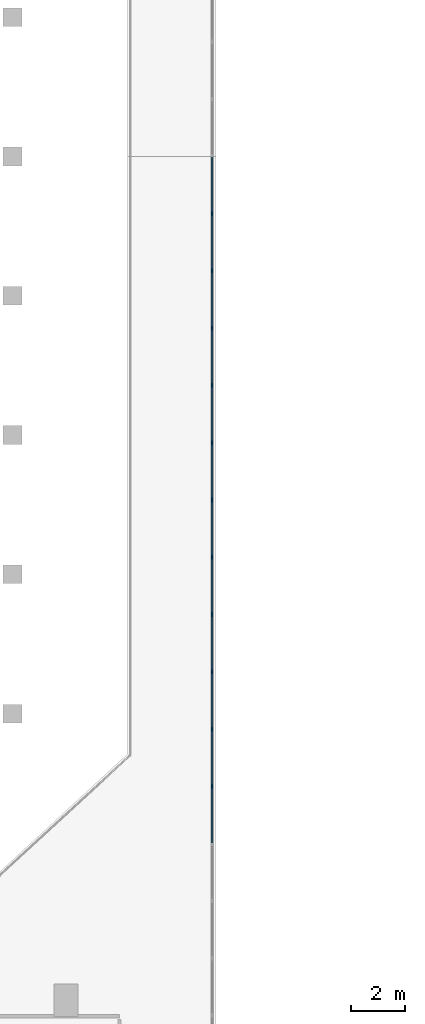
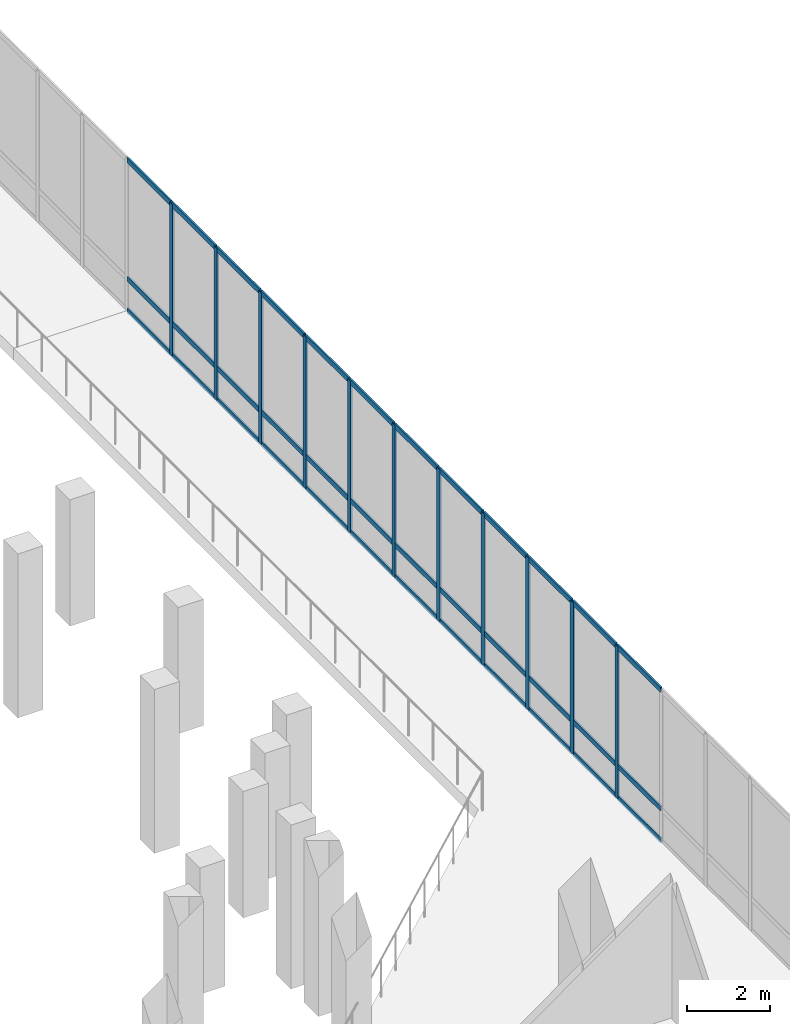
# One storey, part 28 of 126: 47 members, 1 element without a shape of its own.
"""IFC4 building model written with IfcOpenShell, lengths in metres."""

from ifc_helpers import new_model, si_unit, derived_unit, direction, frame, origin, origin_2d, place, context, subcontext, project, spatial, rectangle, extrude, material, layer, layer_set, material_profile, profile_set, type_object, element, aggregate, save


model = new_model("IFC4")

# Units and contexts
model_context = context("Model", 3, precision=1e-05, world=origin(), true_north=direction((0.0, 1.0)))
body_context = subcontext(model_context, "Body", "Model", "MODEL_VIEW")
ifc_project = project(units=[si_unit("LENGTHUNIT", "METRE"), si_unit("AREAUNIT", "SQUARE_METRE"), si_unit("VOLUMEUNIT", "CUBIC_METRE"), si_unit("PLANEANGLEUNIT", "RADIAN"), si_unit("MASSUNIT", "GRAM", prefix="KILO"), derived_unit("THERMALTRANSMITTANCEUNIT", [(si_unit("MASSUNIT", "GRAM", prefix="KILO"), 1), (si_unit("TIMEUNIT", "SECOND"), -3), (si_unit("THERMODYNAMICTEMPERATUREUNIT", "KELVIN"), -1)])], contexts=[model_context])

# Site, building, storey
site_placement = place(None, origin())
site = spatial("IfcSite", under=ifc_project, at=site_placement, CompositionType="ELEMENT")
building_placement = place(site_placement, origin())
building = spatial("IfcBuilding", under=site, at=building_placement, Name="Valcora Ridge Arena", CompositionType="ELEMENT")
storey_placement = place(building_placement, frame((0.0, 0.0, 11.39990234375)))
storey = spatial("IfcBuildingStorey", under=building, at=storey_placement, Name="L02", CompositionType="ELEMENT", Elevation=11.39990234375)

# Curtain wall, members
ifc_material = material(Name="Anodised dark bronze architectural aluminium 6063-T6", Category="aluminium")
ifc_layer = layer(ifc_material, 0.14990234375, Name="Anodised dark bronze architectural aluminium 6063-T6")
ifc_layer_set = layer_set([ifc_layer], Name="Anodised dark bronze architectural aluminium 6063-T6")
curtain_wall_type = type_object("IfcCurtainWallType", Name="TY-CURTAINWALL-CW-V1-EAST-769X44", PredefinedType="NOTDEFINED", material=ifc_layer_set)
curtain_wall_placement = place(storey_placement, origin())
curtain_wall = element("IfcCurtainWall", 1, at=curtain_wall_placement, inside=storey, type_object=curtain_wall_type, Name="CW-V1-EAST-769X44 CW-0129", PredefinedType="NOTDEFINED")
ifc_material_profile_1 = material_profile(ifc_material, rectangle(XDim=0.050048828125, YDim=0.14990234375, at=origin_2d()), Name="ALU MULLION 50x150")
ifc_profile_set_1 = profile_set([ifc_material_profile_1], Name="Anodised dark bronze architectural aluminium 6063-T6")
member_type_1 = type_object("IfcMemberType", Name="TY-MEM-CWM-50x150", PredefinedType="MULLION", material=ifc_profile_set_1)
member_1_placement = place(storey_placement, frame((99.449951171875, 40.589111328125, 0.0), z_axis=(0.0, 0.0, 1.0), x_axis=(-1.0, 0.0, 0.0)))
member_1 = element("IfcMember", 2, at=member_1_placement, type_object=member_type_1, Name="CW-0129/CWM-50x150/M07", PredefinedType="MULLION", context=body_context, shape_type="SweptSolid", body=[
    extrude(rectangle(XDim=0.050048828125, YDim=0.14990234375, at=origin_2d()), origin(), (0.0, 0.0, 1.0), 4.4501953125),
])
member_2_placement = place(storey_placement, frame((99.449951171875, 42.7265625, 0.0), z_axis=(0.0, 0.0, 1.0), x_axis=(-1.0, 0.0, 0.0)))
member_2 = element("IfcMember", 3, at=member_2_placement, type_object=member_type_1, Name="CW-0129/CWM-50x150/M08", PredefinedType="MULLION", context=body_context, shape_type="SweptSolid", body=[
    extrude(rectangle(XDim=0.050048828125, YDim=0.14990234375, at=origin_2d()), origin(), (0.0, 0.0, 1.0), 4.4501953125),
])
member_3_placement = place(storey_placement, frame((99.449951171875, 44.86376953125, 0.0), z_axis=(0.0, 0.0, 1.0), x_axis=(-1.0, 0.0, 0.0)))
member_3 = element("IfcMember", 4, at=member_3_placement, type_object=member_type_1, Name="CW-0129/CWM-50x150/M09", PredefinedType="MULLION", context=body_context, shape_type="SweptSolid", body=[
    extrude(rectangle(XDim=0.050048828125, YDim=0.14990234375, at=origin_2d()), origin(), (0.0, 0.0, 1.0), 4.4501953125),
])
member_4_placement = place(storey_placement, frame((99.449951171875, 47.001220703125, 0.0), z_axis=(0.0, 0.0, 1.0), x_axis=(-1.0, 0.0, 0.0)))
member_4 = element("IfcMember", 5, at=member_4_placement, type_object=member_type_1, Name="CW-0129/CWM-50x150/M10", PredefinedType="MULLION", context=body_context, shape_type="SweptSolid", body=[
    extrude(rectangle(XDim=0.050048828125, YDim=0.14990234375, at=origin_2d()), origin(), (0.0, 0.0, 1.0), 4.4501953125),
])
member_5_placement = place(storey_placement, frame((99.449951171875, 49.138427734375, 0.0), z_axis=(0.0, 0.0, 1.0), x_axis=(-1.0, 0.0, 0.0)))
member_5 = element("IfcMember", 6, at=member_5_placement, type_object=member_type_1, Name="CW-0129/CWM-50x150/M11", PredefinedType="MULLION", context=body_context, shape_type="SweptSolid", body=[
    extrude(rectangle(XDim=0.050048828125, YDim=0.14990234375, at=origin_2d()), origin(), (0.0, 0.0, 1.0), 4.4501953125),
])
member_6_placement = place(storey_placement, frame((99.449951171875, 51.27587890625, 0.0), z_axis=(0.0, 0.0, 1.0), x_axis=(-1.0, 0.0, 0.0)))
member_6 = element("IfcMember", 7, at=member_6_placement, type_object=member_type_1, Name="CW-0129/CWM-50x150/M12", PredefinedType="MULLION", context=body_context, shape_type="SweptSolid", body=[
    extrude(rectangle(XDim=0.050048828125, YDim=0.14990234375, at=origin_2d()), origin(), (0.0, 0.0, 1.0), 4.4501953125),
])
member_7_placement = place(storey_placement, frame((99.449951171875, 53.4130859375, 0.0), z_axis=(0.0, 0.0, 1.0), x_axis=(-1.0, 0.0, 0.0)))
member_7 = element("IfcMember", 8, at=member_7_placement, type_object=member_type_1, Name="CW-0129/CWM-50x150/M13", PredefinedType="MULLION", context=body_context, shape_type="SweptSolid", body=[
    extrude(rectangle(XDim=0.050048828125, YDim=0.14990234375, at=origin_2d()), origin(), (0.0, 0.0, 1.0), 4.4501953125),
])
member_8_placement = place(storey_placement, frame((99.449951171875, 55.550537109375, 0.0), z_axis=(0.0, 0.0, 1.0), x_axis=(-1.0, 0.0, 0.0)))
member_8 = element("IfcMember", 9, at=member_8_placement, type_object=member_type_1, Name="CW-0129/CWM-50x150/M14", PredefinedType="MULLION", context=body_context, shape_type="SweptSolid", body=[
    extrude(rectangle(XDim=0.050048828125, YDim=0.14990234375, at=origin_2d()), origin(), (0.0, 0.0, 1.0), 4.4501953125),
])
member_9_placement = place(storey_placement, frame((99.449951171875, 57.68798828125, 0.0), z_axis=(0.0, 0.0, 1.0), x_axis=(-1.0, 0.0, 0.0)))
member_9 = element("IfcMember", 10, at=member_9_placement, type_object=member_type_1, Name="CW-0129/CWM-50x150/M15", PredefinedType="MULLION", context=body_context, shape_type="SweptSolid", body=[
    extrude(rectangle(XDim=0.050048828125, YDim=0.14990234375, at=origin_2d()), origin(), (0.0, 0.0, 1.0), 4.4501953125),
])
member_10_placement = place(storey_placement, frame((99.449951171875, 59.8251953125, 0.0), z_axis=(0.0, 0.0, 1.0), x_axis=(-1.0, 0.0, 0.0)))
member_10 = element("IfcMember", 11, at=member_10_placement, type_object=member_type_1, Name="CW-0129/CWM-50x150/M16", PredefinedType="MULLION", context=body_context, shape_type="SweptSolid", body=[
    extrude(rectangle(XDim=0.050048828125, YDim=0.14990234375, at=origin_2d()), origin(), (0.0, 0.0, 1.0), 4.4501953125),
])
member_11_placement = place(storey_placement, frame((99.449951171875, 61.962646484375, 0.0), z_axis=(0.0, 0.0, 1.0), x_axis=(-1.0, 0.0, 0.0)))
member_11 = element("IfcMember", 12, at=member_11_placement, type_object=member_type_1, Name="CW-0129/CWM-50x150/M17", PredefinedType="MULLION", context=body_context, shape_type="SweptSolid", body=[
    extrude(rectangle(XDim=0.050048828125, YDim=0.14990234375, at=origin_2d()), origin(), (0.0, 0.0, 1.0), 4.4501953125),
])
ifc_material_profile_2 = material_profile(ifc_material, rectangle(XDim=0.050048828125, YDim=0.14990234375, at=origin_2d()), Name="ALU TRANSOM 50x150")
ifc_profile_set_2 = profile_set([ifc_material_profile_2], Name="Anodised dark bronze architectural aluminium 6063-T6")
member_type_2 = type_object("IfcMemberType", Name="TY-MEM-CWT-50x150", PredefinedType="USERDEFINED", material=ifc_profile_set_2)
member_12_placement = place(storey_placement, frame((99.449951171875, 38.476806640625, 0.025146484375), z_axis=(0.0, 1.0, 0.0), x_axis=(-1.0, 0.0, 0.0)))
member_12 = element("IfcMember", 13, at=member_12_placement, type_object=member_type_2, Name="CW-0129/CWT-50x150/T06-00", ObjectType="TRANSOM", PredefinedType="USERDEFINED", context=body_context, shape_type="SweptSolid", body=[
    extrude(rectangle(XDim=0.050048828125, YDim=0.14990234375, at=origin_2d()), origin(), (0.0, 0.0, 1.0), 2.0869140625),
])
member_13_placement = place(storey_placement, frame((99.449951171875, 38.476806640625, 0.9501953125), z_axis=(0.0, 1.0, 0.0), x_axis=(-1.0, 0.0, 0.0)))
member_13 = element("IfcMember", 14, at=member_13_placement, type_object=member_type_2, Name="CW-0129/CWT-50x150/T06-01", ObjectType="TRANSOM", PredefinedType="USERDEFINED", context=body_context, shape_type="SweptSolid", body=[
    extrude(rectangle(XDim=0.050048828125, YDim=0.14990234375, at=origin_2d()), origin(), (0.0, 0.0, 1.0), 2.0869140625),
])
member_14_placement = place(storey_placement, frame((99.449951171875, 38.476806640625, 4.425048828125), z_axis=(0.0, 1.0, 0.0), x_axis=(-1.0, 0.0, 0.0)))
member_14 = element("IfcMember", 15, at=member_14_placement, type_object=member_type_2, Name="CW-0129/CWT-50x150/T06-02", ObjectType="TRANSOM", PredefinedType="USERDEFINED", context=body_context, shape_type="SweptSolid", body=[
    extrude(rectangle(XDim=0.050048828125, YDim=0.14990234375, at=origin_2d()), origin(), (0.0, 0.0, 1.0), 2.0869140625),
])
member_15_placement = place(storey_placement, frame((99.449951171875, 40.61376953125, 0.025146484375), z_axis=(0.0, 1.0, 0.0), x_axis=(-1.0, 0.0, 0.0)))
member_15 = element("IfcMember", 16, at=member_15_placement, type_object=member_type_2, Name="CW-0129/CWT-50x150/T07-00", ObjectType="TRANSOM", PredefinedType="USERDEFINED", context=body_context, shape_type="SweptSolid", body=[
    extrude(rectangle(XDim=0.050048828125, YDim=0.14990234375, at=origin_2d()), origin(), (0.0, 0.0, 1.0), 2.087890625),
])
member_16_placement = place(storey_placement, frame((99.449951171875, 40.61376953125, 0.9501953125), z_axis=(0.0, 1.0, 0.0), x_axis=(-1.0, 0.0, 0.0)))
member_16 = element("IfcMember", 17, at=member_16_placement, type_object=member_type_2, Name="CW-0129/CWT-50x150/T07-01", ObjectType="TRANSOM", PredefinedType="USERDEFINED", context=body_context, shape_type="SweptSolid", body=[
    extrude(rectangle(XDim=0.050048828125, YDim=0.14990234375, at=origin_2d()), origin(), (0.0, 0.0, 1.0), 2.087890625),
])
member_17_placement = place(storey_placement, frame((99.449951171875, 40.61376953125, 4.425048828125), z_axis=(0.0, 1.0, 0.0), x_axis=(-1.0, 0.0, 0.0)))
member_17 = element("IfcMember", 18, at=member_17_placement, type_object=member_type_2, Name="CW-0129/CWT-50x150/T07-02", ObjectType="TRANSOM", PredefinedType="USERDEFINED", context=body_context, shape_type="SweptSolid", body=[
    extrude(rectangle(XDim=0.050048828125, YDim=0.14990234375, at=origin_2d()), origin(), (0.0, 0.0, 1.0), 2.087890625),
])
member_18_placement = place(storey_placement, frame((99.449951171875, 42.751708984375, 0.025146484375), z_axis=(0.0, 1.0, 0.0), x_axis=(-1.0, 0.0, 0.0)))
member_18 = element("IfcMember", 19, at=member_18_placement, type_object=member_type_2, Name="CW-0129/CWT-50x150/T08-00", ObjectType="TRANSOM", PredefinedType="USERDEFINED", context=body_context, shape_type="SweptSolid", body=[
    extrude(rectangle(XDim=0.050048828125, YDim=0.14990234375, at=origin_2d()), origin(), (0.0, 0.0, 1.0), 2.0869140625),
])
member_19_placement = place(storey_placement, frame((99.449951171875, 42.751708984375, 0.9501953125), z_axis=(0.0, 1.0, 0.0), x_axis=(-1.0, 0.0, 0.0)))
member_19 = element("IfcMember", 20, at=member_19_placement, type_object=member_type_2, Name="CW-0129/CWT-50x150/T08-01", ObjectType="TRANSOM", PredefinedType="USERDEFINED", context=body_context, shape_type="SweptSolid", body=[
    extrude(rectangle(XDim=0.050048828125, YDim=0.14990234375, at=origin_2d()), origin(), (0.0, 0.0, 1.0), 2.0869140625),
])
member_20_placement = place(storey_placement, frame((99.449951171875, 42.751708984375, 4.425048828125), z_axis=(0.0, 1.0, 0.0), x_axis=(-1.0, 0.0, 0.0)))
member_20 = element("IfcMember", 21, at=member_20_placement, type_object=member_type_2, Name="CW-0129/CWT-50x150/T08-02", ObjectType="TRANSOM", PredefinedType="USERDEFINED", context=body_context, shape_type="SweptSolid", body=[
    extrude(rectangle(XDim=0.050048828125, YDim=0.14990234375, at=origin_2d()), origin(), (0.0, 0.0, 1.0), 2.0869140625),
])
member_21_placement = place(storey_placement, frame((99.449951171875, 44.888671875, 0.025146484375), z_axis=(0.0, 1.0, 0.0), x_axis=(-1.0, 0.0, 0.0)))
member_21 = element("IfcMember", 22, at=member_21_placement, type_object=member_type_2, Name="CW-0129/CWT-50x150/T09-00", ObjectType="TRANSOM", PredefinedType="USERDEFINED", context=body_context, shape_type="SweptSolid", body=[
    extrude(rectangle(XDim=0.050048828125, YDim=0.14990234375, at=origin_2d()), origin(), (0.0, 0.0, 1.0), 2.0869140625),
])
member_22_placement = place(storey_placement, frame((99.449951171875, 44.888671875, 0.9501953125), z_axis=(0.0, 1.0, 0.0), x_axis=(-1.0, 0.0, 0.0)))
member_22 = element("IfcMember", 23, at=member_22_placement, type_object=member_type_2, Name="CW-0129/CWT-50x150/T09-01", ObjectType="TRANSOM", PredefinedType="USERDEFINED", context=body_context, shape_type="SweptSolid", body=[
    extrude(rectangle(XDim=0.050048828125, YDim=0.14990234375, at=origin_2d()), origin(), (0.0, 0.0, 1.0), 2.0869140625),
])
member_23_placement = place(storey_placement, frame((99.449951171875, 44.888671875, 4.425048828125), z_axis=(0.0, 1.0, 0.0), x_axis=(-1.0, 0.0, 0.0)))
member_23 = element("IfcMember", 24, at=member_23_placement, type_object=member_type_2, Name="CW-0129/CWT-50x150/T09-02", ObjectType="TRANSOM", PredefinedType="USERDEFINED", context=body_context, shape_type="SweptSolid", body=[
    extrude(rectangle(XDim=0.050048828125, YDim=0.14990234375, at=origin_2d()), origin(), (0.0, 0.0, 1.0), 2.0869140625),
])
member_24_placement = place(storey_placement, frame((99.449951171875, 47.025634765625, 0.025146484375), z_axis=(0.0, 1.0, 0.0), x_axis=(-1.0, 0.0, 0.0)))
member_24 = element("IfcMember", 25, at=member_24_placement, type_object=member_type_2, Name="CW-0129/CWT-50x150/T10-00", ObjectType="TRANSOM", PredefinedType="USERDEFINED", context=body_context, shape_type="SweptSolid", body=[
    extrude(rectangle(XDim=0.050048828125, YDim=0.14990234375, at=origin_2d()), origin(), (0.0, 0.0, 1.0), 2.088134765625),
])
member_25_placement = place(storey_placement, frame((99.449951171875, 47.025634765625, 0.9501953125), z_axis=(0.0, 1.0, 0.0), x_axis=(-1.0, 0.0, 0.0)))
member_25 = element("IfcMember", 26, at=member_25_placement, type_object=member_type_2, Name="CW-0129/CWT-50x150/T10-01", ObjectType="TRANSOM", PredefinedType="USERDEFINED", context=body_context, shape_type="SweptSolid", body=[
    extrude(rectangle(XDim=0.050048828125, YDim=0.14990234375, at=origin_2d()), origin(), (0.0, 0.0, 1.0), 2.088134765625),
])
member_26_placement = place(storey_placement, frame((99.449951171875, 47.025634765625, 4.425048828125), z_axis=(0.0, 1.0, 0.0), x_axis=(-1.0, 0.0, 0.0)))
member_26 = element("IfcMember", 27, at=member_26_placement, type_object=member_type_2, Name="CW-0129/CWT-50x150/T10-02", ObjectType="TRANSOM", PredefinedType="USERDEFINED", context=body_context, shape_type="SweptSolid", body=[
    extrude(rectangle(XDim=0.050048828125, YDim=0.14990234375, at=origin_2d()), origin(), (0.0, 0.0, 1.0), 2.088134765625),
])
member_27_placement = place(storey_placement, frame((99.449951171875, 49.163818359375, 0.025146484375), z_axis=(0.0, 1.0, 0.0), x_axis=(-1.0, 0.0, 0.0)))
member_27 = element("IfcMember", 28, at=member_27_placement, type_object=member_type_2, Name="CW-0129/CWT-50x150/T11-00", ObjectType="TRANSOM", PredefinedType="USERDEFINED", context=body_context, shape_type="SweptSolid", body=[
    extrude(rectangle(XDim=0.050048828125, YDim=0.14990234375, at=origin_2d()), origin(), (0.0, 0.0, 1.0), 2.0869140625),
])
member_28_placement = place(storey_placement, frame((99.449951171875, 49.163818359375, 0.9501953125), z_axis=(0.0, 1.0, 0.0), x_axis=(-1.0, 0.0, 0.0)))
member_28 = element("IfcMember", 29, at=member_28_placement, type_object=member_type_2, Name="CW-0129/CWT-50x150/T11-01", ObjectType="TRANSOM", PredefinedType="USERDEFINED", context=body_context, shape_type="SweptSolid", body=[
    extrude(rectangle(XDim=0.050048828125, YDim=0.14990234375, at=origin_2d()), origin(), (0.0, 0.0, 1.0), 2.0869140625),
])
member_29_placement = place(storey_placement, frame((99.449951171875, 49.163818359375, 4.425048828125), z_axis=(0.0, 1.0, 0.0), x_axis=(-1.0, 0.0, 0.0)))
member_29 = element("IfcMember", 30, at=member_29_placement, type_object=member_type_2, Name="CW-0129/CWT-50x150/T11-02", ObjectType="TRANSOM", PredefinedType="USERDEFINED", context=body_context, shape_type="SweptSolid", body=[
    extrude(rectangle(XDim=0.050048828125, YDim=0.14990234375, at=origin_2d()), origin(), (0.0, 0.0, 1.0), 2.0869140625),
])
member_30_placement = place(storey_placement, frame((99.449951171875, 51.30078125, 0.025146484375), z_axis=(0.0, 1.0, 0.0), x_axis=(-1.0, 0.0, 0.0)))
member_30 = element("IfcMember", 31, at=member_30_placement, type_object=member_type_2, Name="CW-0129/CWT-50x150/T12-00", ObjectType="TRANSOM", PredefinedType="USERDEFINED", context=body_context, shape_type="SweptSolid", body=[
    extrude(rectangle(XDim=0.050048828125, YDim=0.14990234375, at=origin_2d()), origin(), (0.0, 0.0, 1.0), 2.087890625),
])
member_31_placement = place(storey_placement, frame((99.449951171875, 51.30078125, 0.9501953125), z_axis=(0.0, 1.0, 0.0), x_axis=(-1.0, 0.0, 0.0)))
member_31 = element("IfcMember", 32, at=member_31_placement, type_object=member_type_2, Name="CW-0129/CWT-50x150/T12-01", ObjectType="TRANSOM", PredefinedType="USERDEFINED", context=body_context, shape_type="SweptSolid", body=[
    extrude(rectangle(XDim=0.050048828125, YDim=0.14990234375, at=origin_2d()), origin(), (0.0, 0.0, 1.0), 2.087890625),
])
member_32_placement = place(storey_placement, frame((99.449951171875, 51.30078125, 4.425048828125), z_axis=(0.0, 1.0, 0.0), x_axis=(-1.0, 0.0, 0.0)))
member_32 = element("IfcMember", 33, at=member_32_placement, type_object=member_type_2, Name="CW-0129/CWT-50x150/T12-02", ObjectType="TRANSOM", PredefinedType="USERDEFINED", context=body_context, shape_type="SweptSolid", body=[
    extrude(rectangle(XDim=0.050048828125, YDim=0.14990234375, at=origin_2d()), origin(), (0.0, 0.0, 1.0), 2.087890625),
])
member_33_placement = place(storey_placement, frame((99.449951171875, 53.438720703125, 0.025146484375), z_axis=(0.0, 1.0, 0.0), x_axis=(-1.0, 0.0, 0.0)))
member_33 = element("IfcMember", 34, at=member_33_placement, type_object=member_type_2, Name="CW-0129/CWT-50x150/T13-00", ObjectType="TRANSOM", PredefinedType="USERDEFINED", context=body_context, shape_type="SweptSolid", body=[
    extrude(rectangle(XDim=0.050048828125, YDim=0.14990234375, at=origin_2d()), origin(), (0.0, 0.0, 1.0), 2.0869140625),
])
member_34_placement = place(storey_placement, frame((99.449951171875, 53.438720703125, 0.9501953125), z_axis=(0.0, 1.0, 0.0), x_axis=(-1.0, 0.0, 0.0)))
member_34 = element("IfcMember", 35, at=member_34_placement, type_object=member_type_2, Name="CW-0129/CWT-50x150/T13-01", ObjectType="TRANSOM", PredefinedType="USERDEFINED", context=body_context, shape_type="SweptSolid", body=[
    extrude(rectangle(XDim=0.050048828125, YDim=0.14990234375, at=origin_2d()), origin(), (0.0, 0.0, 1.0), 2.0869140625),
])
member_35_placement = place(storey_placement, frame((99.449951171875, 53.438720703125, 4.425048828125), z_axis=(0.0, 1.0, 0.0), x_axis=(-1.0, 0.0, 0.0)))
member_35 = element("IfcMember", 36, at=member_35_placement, type_object=member_type_2, Name="CW-0129/CWT-50x150/T13-02", ObjectType="TRANSOM", PredefinedType="USERDEFINED", context=body_context, shape_type="SweptSolid", body=[
    extrude(rectangle(XDim=0.050048828125, YDim=0.14990234375, at=origin_2d()), origin(), (0.0, 0.0, 1.0), 2.0869140625),
])
member_36_placement = place(storey_placement, frame((99.449951171875, 55.57568359375, 0.025146484375), z_axis=(0.0, 1.0, 0.0), x_axis=(-1.0, 0.0, 0.0)))
member_36 = element("IfcMember", 37, at=member_36_placement, type_object=member_type_2, Name="CW-0129/CWT-50x150/T14-00", ObjectType="TRANSOM", PredefinedType="USERDEFINED", context=body_context, shape_type="SweptSolid", body=[
    extrude(rectangle(XDim=0.050048828125, YDim=0.14990234375, at=origin_2d()), origin(), (0.0, 0.0, 1.0), 2.0869140625),
])
member_37_placement = place(storey_placement, frame((99.449951171875, 55.57568359375, 0.9501953125), z_axis=(0.0, 1.0, 0.0), x_axis=(-1.0, 0.0, 0.0)))
member_37 = element("IfcMember", 38, at=member_37_placement, type_object=member_type_2, Name="CW-0129/CWT-50x150/T14-01", ObjectType="TRANSOM", PredefinedType="USERDEFINED", context=body_context, shape_type="SweptSolid", body=[
    extrude(rectangle(XDim=0.050048828125, YDim=0.14990234375, at=origin_2d()), origin(), (0.0, 0.0, 1.0), 2.0869140625),
])
member_38_placement = place(storey_placement, frame((99.449951171875, 55.57568359375, 4.425048828125), z_axis=(0.0, 1.0, 0.0), x_axis=(-1.0, 0.0, 0.0)))
member_38 = element("IfcMember", 39, at=member_38_placement, type_object=member_type_2, Name="CW-0129/CWT-50x150/T14-02", ObjectType="TRANSOM", PredefinedType="USERDEFINED", context=body_context, shape_type="SweptSolid", body=[
    extrude(rectangle(XDim=0.050048828125, YDim=0.14990234375, at=origin_2d()), origin(), (0.0, 0.0, 1.0), 2.0869140625),
])
member_39_placement = place(storey_placement, frame((99.449951171875, 57.712646484375, 0.025146484375), z_axis=(0.0, 1.0, 0.0), x_axis=(-1.0, 0.0, 0.0)))
member_39 = element("IfcMember", 40, at=member_39_placement, type_object=member_type_2, Name="CW-0129/CWT-50x150/T15-00", ObjectType="TRANSOM", PredefinedType="USERDEFINED", context=body_context, shape_type="SweptSolid", body=[
    extrude(rectangle(XDim=0.050048828125, YDim=0.14990234375, at=origin_2d()), origin(), (0.0, 0.0, 1.0), 2.088134765625),
])
member_40_placement = place(storey_placement, frame((99.449951171875, 57.712646484375, 0.9501953125), z_axis=(0.0, 1.0, 0.0), x_axis=(-1.0, 0.0, 0.0)))
member_40 = element("IfcMember", 41, at=member_40_placement, type_object=member_type_2, Name="CW-0129/CWT-50x150/T15-01", ObjectType="TRANSOM", PredefinedType="USERDEFINED", context=body_context, shape_type="SweptSolid", body=[
    extrude(rectangle(XDim=0.050048828125, YDim=0.14990234375, at=origin_2d()), origin(), (0.0, 0.0, 1.0), 2.088134765625),
])
member_41_placement = place(storey_placement, frame((99.449951171875, 57.712646484375, 4.425048828125), z_axis=(0.0, 1.0, 0.0), x_axis=(-1.0, 0.0, 0.0)))
member_41 = element("IfcMember", 42, at=member_41_placement, type_object=member_type_2, Name="CW-0129/CWT-50x150/T15-02", ObjectType="TRANSOM", PredefinedType="USERDEFINED", context=body_context, shape_type="SweptSolid", body=[
    extrude(rectangle(XDim=0.050048828125, YDim=0.14990234375, at=origin_2d()), origin(), (0.0, 0.0, 1.0), 2.088134765625),
])
member_42_placement = place(storey_placement, frame((99.449951171875, 59.8505859375, 0.025146484375), z_axis=(0.0, 1.0, 0.0), x_axis=(-1.0, 0.0, 0.0)))
member_42 = element("IfcMember", 43, at=member_42_placement, type_object=member_type_2, Name="CW-0129/CWT-50x150/T16-00", ObjectType="TRANSOM", PredefinedType="USERDEFINED", context=body_context, shape_type="SweptSolid", body=[
    extrude(rectangle(XDim=0.050048828125, YDim=0.14990234375, at=origin_2d()), origin(), (0.0, 0.0, 1.0), 2.087158203125),
])
member_43_placement = place(storey_placement, frame((99.449951171875, 59.8505859375, 0.9501953125), z_axis=(0.0, 1.0, 0.0), x_axis=(-1.0, 0.0, 0.0)))
member_43 = element("IfcMember", 44, at=member_43_placement, type_object=member_type_2, Name="CW-0129/CWT-50x150/T16-01", ObjectType="TRANSOM", PredefinedType="USERDEFINED", context=body_context, shape_type="SweptSolid", body=[
    extrude(rectangle(XDim=0.050048828125, YDim=0.14990234375, at=origin_2d()), origin(), (0.0, 0.0, 1.0), 2.087158203125),
])
member_44_placement = place(storey_placement, frame((99.449951171875, 59.8505859375, 4.425048828125), z_axis=(0.0, 1.0, 0.0), x_axis=(-1.0, 0.0, 0.0)))
member_44 = element("IfcMember", 45, at=member_44_placement, type_object=member_type_2, Name="CW-0129/CWT-50x150/T16-02", ObjectType="TRANSOM", PredefinedType="USERDEFINED", context=body_context, shape_type="SweptSolid", body=[
    extrude(rectangle(XDim=0.050048828125, YDim=0.14990234375, at=origin_2d()), origin(), (0.0, 0.0, 1.0), 2.087158203125),
])
member_45_placement = place(storey_placement, frame((99.449951171875, 61.98779296875, 0.025146484375), z_axis=(0.0, 1.0, 0.0), x_axis=(-1.0, 0.0, 0.0)))
member_45 = element("IfcMember", 46, at=member_45_placement, type_object=member_type_2, Name="CW-0129/CWT-50x150/T17-00", ObjectType="TRANSOM", PredefinedType="USERDEFINED", context=body_context, shape_type="SweptSolid", body=[
    extrude(rectangle(XDim=0.050048828125, YDim=0.14990234375, at=origin_2d()), origin(), (0.0, 0.0, 1.0), 2.0869140625),
])
member_46_placement = place(storey_placement, frame((99.449951171875, 61.98779296875, 0.9501953125), z_axis=(0.0, 1.0, 0.0), x_axis=(-1.0, 0.0, 0.0)))
member_46 = element("IfcMember", 47, at=member_46_placement, type_object=member_type_2, Name="CW-0129/CWT-50x150/T17-01", ObjectType="TRANSOM", PredefinedType="USERDEFINED", context=body_context, shape_type="SweptSolid", body=[
    extrude(rectangle(XDim=0.050048828125, YDim=0.14990234375, at=origin_2d()), origin(), (0.0, 0.0, 1.0), 2.0869140625),
])
member_47_placement = place(storey_placement, frame((99.449951171875, 61.98779296875, 4.425048828125), z_axis=(0.0, 1.0, 0.0), x_axis=(-1.0, 0.0, 0.0)))
member_47 = element("IfcMember", 48, at=member_47_placement, type_object=member_type_2, Name="CW-0129/CWT-50x150/T17-02", ObjectType="TRANSOM", PredefinedType="USERDEFINED", context=body_context, shape_type="SweptSolid", body=[
    extrude(rectangle(XDim=0.050048828125, YDim=0.14990234375, at=origin_2d()), origin(), (0.0, 0.0, 1.0), 2.0869140625),
])
aggregate(curtain_wall, [member_1, member_2, member_3, member_4, member_5, member_6, member_7, member_8, member_9, member_10, member_11, member_12, member_13, member_14, member_15, member_16, member_17, member_18, member_19, member_20, member_21, member_22, member_23, member_24, member_25, member_26, member_27, member_28, member_29, member_30, member_31, member_32, member_33, member_34, member_35, member_36, member_37, member_38, member_39, member_40, member_41, member_42, member_43, member_44, member_45, member_46, member_47])

save(model, "model.ifc")
